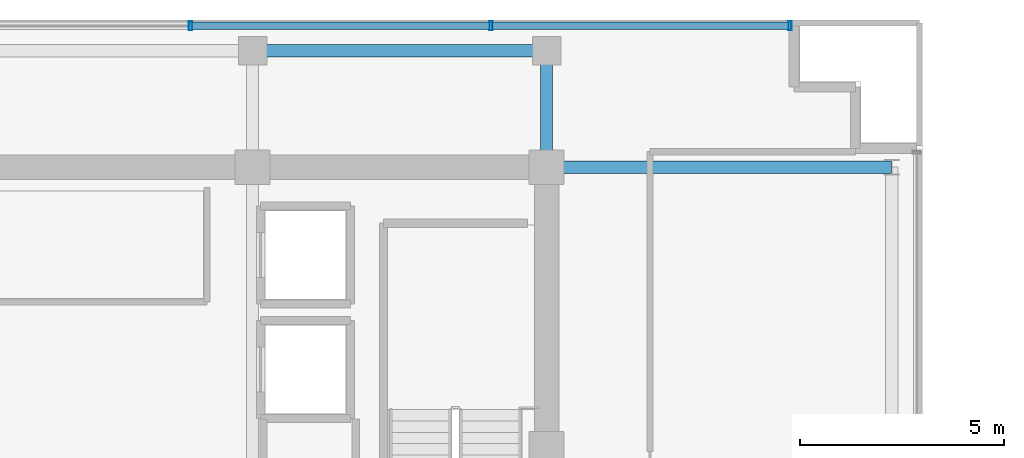
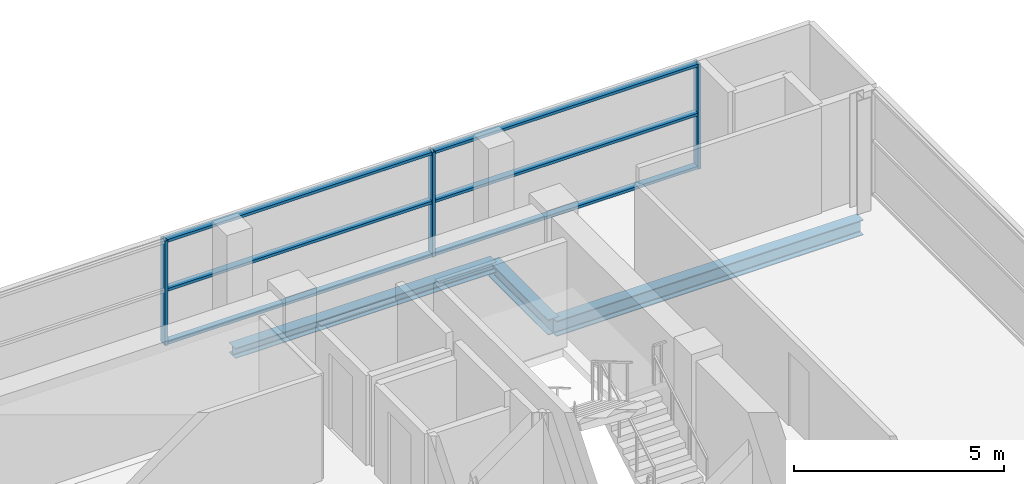
# One storey, part 12 of 22: 9 members, 3 beams, 1 element without a shape of its own.
"""IFC4 building model written with IfcOpenShell, lengths in metres."""

from ifc_helpers import new_model, si_unit, direction, frame, origin, origin_2d, place, context, subcontext, project, spatial, hollow_rectangle, i_section, extrude, source, transform, mapped, material, layer, layer_set, material_profile, profile_set, type_object, element, aggregate, save


model = new_model("IFC4")

# Units and contexts
model_context = context("Model", 3, precision=1e-05, world=origin(), true_north=direction((0.0, 1.0)))
body_context = subcontext(model_context, "Body", "Model", "MODEL_VIEW")
ifc_project = project(units=[si_unit("LENGTHUNIT", "METRE"), si_unit("AREAUNIT", "SQUARE_METRE"), si_unit("VOLUMEUNIT", "CUBIC_METRE"), si_unit("PLANEANGLEUNIT", "RADIAN"), si_unit("MASSUNIT", "GRAM", prefix="KILO")], contexts=[model_context])

# Site, building, storey
site_placement = place(None, origin())
site = spatial("IfcSite", under=ifc_project, at=site_placement, CompositionType="ELEMENT")
building_placement = place(site_placement, origin())
building = spatial("IfcBuilding", under=site, at=building_placement, Name="Zarnakvel Exchange Tower", CompositionType="ELEMENT")
storey_placement = place(building_placement, frame((0.0, 0.0, 238.60009765625)))
storey = spatial("IfcBuildingStorey", under=building, at=storey_placement, Name="L67", CompositionType="ELEMENT", Elevation=238.60009765625)

# Beams
ifc_material_1 = material(Name="Steel S355", Category="steel")
ifc_material_profile_1 = material_profile(ifc_material_1, i_section(OverallWidth=0.300048828125, OverallDepth=0.449951171875, WebThickness=0.013916015625, FlangeThickness=0.02587890625, FilletRadius=0.027099609375, at=origin_2d()))
ifc_profile_set_1 = profile_set([ifc_material_profile_1], Name="Steel S355")
beam_type_1 = type_object("IfcBeamType", Name="G-07", PredefinedType="BEAM", material=ifc_profile_set_1)
beam_1_placement = place(storey_placement, frame((14.39990234375, 13.5, -0.4501953125), z_axis=(1.0, 0.0, 0.0), x_axis=(0.0, 1.0, 0.0)))
element("IfcBeam", 1, at=beam_1_placement, inside=storey, type_object=beam_type_1, Name="L67 Tower E-W Frame Beam", PredefinedType="BEAM", context=body_context, shape_type="SweptSolid", body=[
    extrude(i_section(OverallWidth=0.300048828125, OverallDepth=0.449951171875, WebThickness=0.013916015625, FlangeThickness=0.02587890625, FilletRadius=0.027099609375, at=origin_2d()), origin(), (0.0, 0.0, 1.0), 8.4501953125),
])
beam_2_placement = place(storey_placement, frame((14.39990234375, 13.5, -0.4501953125), z_axis=(0.0, 1.0, 0.0), x_axis=(-1.0, 0.0, 0.0)))
element("IfcBeam", 2, at=beam_2_placement, inside=storey, type_object=beam_type_1, Name="L67 Tower N-S Frame Beam", PredefinedType="BEAM", context=body_context, shape_type="SweptSolid", body=[
    extrude(i_section(OverallWidth=0.300048828125, OverallDepth=0.449951171875, WebThickness=0.013916015625, FlangeThickness=0.02587890625, FilletRadius=0.027099609375, at=origin_2d()), origin(), (0.0, 0.0, 1.0), 2.85009765625),
])
ifc_material_profile_2 = material_profile(ifc_material_1, i_section(OverallWidth=0.300048828125, OverallDepth=0.300048828125, WebThickness=0.010986328125, FlangeThickness=0.01904296875, FilletRadius=0.027099609375, at=origin_2d()))
ifc_profile_set_2 = profile_set([ifc_material_profile_2], Name="Steel S355")
beam_type_2 = type_object("IfcBeamType", Name="SP-03", PredefinedType="SPANDREL", material=ifc_profile_set_2)
beam_3_placement = place(storey_placement, frame((7.199951171875, 16.35009765625, -0.375), z_axis=(1.0, 0.0, 0.0), x_axis=(0.0, 1.0, 0.0)))
element("IfcBeam", 3, at=beam_3_placement, inside=storey, type_object=beam_type_2, Name="L67 Tower E-W Frame Beam", PredefinedType="SPANDREL", context=body_context, shape_type="SweptSolid", body=[
    extrude(i_section(OverallWidth=0.300048828125, OverallDepth=0.300048828125, WebThickness=0.010986328125, FlangeThickness=0.01904296875, FilletRadius=0.027099609375, at=origin_2d()), origin(), (0.0, 0.0, 1.0), 7.199951171875),
])

# Curtain wall, members
ifc_material_2 = material(Name="Architectural Bronze Anodised Aluminium", Category="aluminium")
ifc_layer = layer(ifc_material_2, 0.219970703125)
ifc_layer_set = layer_set([ifc_layer], Name="Architectural Bronze Anodised Aluminium")
curtain_wall_type = type_object("IfcCurtainWallType", Name="CW-03", PredefinedType="NOTDEFINED", material=ifc_layer_set)
curtain_wall_placement = place(storey_placement, origin())
curtain_wall = element("IfcCurtainWall", 4, at=curtain_wall_placement, inside=storey, type_object=curtain_wall_type, Name="L67 Curtain Wall CW-L67-N1 (CW-03)", PredefinedType="NOTDEFINED")
ifc_material_profile_3 = material_profile(ifc_material_2, hollow_rectangle(XDim=0.219970703125, YDim=0.080078125, WallThickness=0.0048828125, at=origin_2d()))
ifc_profile_set_3 = profile_set([ifc_material_profile_3], Name="Architectural Bronze Anodised Aluminium")
member_type_1 = type_object("IfcMemberType", Name="CWM-03", PredefinedType="MULLION", material=ifc_profile_set_3)
shared_shape_1 = source(origin(), body_context, "Body", "SweptSolid", [
    extrude(hollow_rectangle(XDim=0.219970703125, YDim=0.080078125, WallThickness=0.0048828125, at=origin_2d()), origin(), (0.0, 0.0, 1.0), 3.054931640625),
])
member_1_placement = place(storey_placement, frame((5.679931640625, 16.9599609375, 0.0), z_axis=(0.0, 0.0, 1.0), x_axis=(0.0, 1.0, 0.0)))
member_1 = element("IfcMember", 5, at=member_1_placement, type_object=member_type_1, Name="CW-03 mullion 4", PredefinedType="MULLION", context=body_context, shape_type="MappedRepresentation", body=[
    mapped(shared_shape_1, transform((0.0, 0.0, 0.0), x_axis=(1.0, 0.0, 0.0), y_axis=(0.0, 1.0, 0.0), z_axis=(0.0, 0.0, 1.0), scale=1.0)),
])
member_2_placement = place(storey_placement, frame((13.0400390625, 16.9599609375, 0.0), z_axis=(0.0, 0.0, 1.0), x_axis=(0.0, 1.0, 0.0)))
member_2 = element("IfcMember", 6, at=member_2_placement, type_object=member_type_1, Name="CW-03 mullion 5", PredefinedType="MULLION", context=body_context, shape_type="MappedRepresentation", body=[
    mapped(shared_shape_1, transform((0.0, 0.0, 0.0), x_axis=(1.0, 0.0, 0.0), y_axis=(0.0, 1.0, 0.0), z_axis=(0.0, 0.0, 1.0), scale=1.0)),
])
member_3_placement = place(storey_placement, frame((20.360107421875, 16.9599609375, 0.0), z_axis=(0.0, 0.0, 1.0), x_axis=(0.0, 1.0, 0.0)))
member_3 = element("IfcMember", 7, at=member_3_placement, type_object=member_type_1, Name="CW-03 mullion 6", PredefinedType="MULLION", context=body_context, shape_type="MappedRepresentation", body=[
    mapped(shared_shape_1, transform((0.0, 0.0, 0.0), x_axis=(1.0, 0.0, 0.0), y_axis=(0.0, 1.0, 0.0), z_axis=(0.0, 0.0, 1.0), scale=1.0)),
])
ifc_material_profile_4 = material_profile(ifc_material_2, hollow_rectangle(XDim=0.179931640625, YDim=0.080078125, WallThickness=0.00390625, at=origin_2d()))
ifc_profile_set_4 = profile_set([ifc_material_profile_4], Name="Architectural Bronze Anodised Aluminium")
member_type_2 = type_object("IfcMemberType", Name="CWT-03", PredefinedType="USERDEFINED", material=ifc_profile_set_4)
shared_shape_2 = source(origin(), body_context, "Body", "SweptSolid", [
    extrude(hollow_rectangle(XDim=0.179931640625, YDim=0.080078125, WallThickness=0.00390625, at=origin_2d()), origin(), (0.0, 0.0, 1.0), 7.239990234375),
])
member_4_placement = place(storey_placement, frame((13.080078125, 16.9599609375, 0.039794921875), z_axis=(1.0, 0.0, 0.0), x_axis=(0.0, 1.0, 0.0)))
member_4 = element("IfcMember", 8, at=member_4_placement, type_object=member_type_2, Name="CW-03 transom 5.1", ObjectType="TRANSOM", PredefinedType="USERDEFINED", context=body_context, shape_type="MappedRepresentation", body=[
    mapped(shared_shape_2, transform((0.0, 0.0, 0.0), x_axis=(1.0, 0.0, 0.0), y_axis=(0.0, 1.0, 0.0), z_axis=(0.0, 0.0, 1.0), scale=1.0)),
])
member_5_placement = place(storey_placement, frame((13.080078125, 16.9599609375, 1.588623046875), z_axis=(1.0, 0.0, 0.0), x_axis=(0.0, 1.0, 0.0)))
member_5 = element("IfcMember", 9, at=member_5_placement, type_object=member_type_2, Name="CW-03 transom 5.2", ObjectType="TRANSOM", PredefinedType="USERDEFINED", context=body_context, shape_type="MappedRepresentation", body=[
    mapped(shared_shape_2, transform((0.0, 0.0, 0.0), x_axis=(1.0, 0.0, 0.0), y_axis=(0.0, 1.0, 0.0), z_axis=(0.0, 0.0, 1.0), scale=1.0)),
])
member_6_placement = place(storey_placement, frame((13.080078125, 16.9599609375, 3.014892578125), z_axis=(1.0, 0.0, 0.0), x_axis=(0.0, 1.0, 0.0)))
member_6 = element("IfcMember", 10, at=member_6_placement, type_object=member_type_2, Name="CW-03 transom 5.3", ObjectType="TRANSOM", PredefinedType="USERDEFINED", context=body_context, shape_type="MappedRepresentation", body=[
    mapped(shared_shape_2, transform((0.0, 0.0, 0.0), x_axis=(1.0, 0.0, 0.0), y_axis=(0.0, 1.0, 0.0), z_axis=(0.0, 0.0, 1.0), scale=1.0)),
])
shared_shape_3 = source(origin(), body_context, "Body", "SweptSolid", [
    extrude(hollow_rectangle(XDim=0.179931640625, YDim=0.080078125, WallThickness=0.00390625, at=origin_2d()), origin(), (0.0, 0.0, 1.0), 7.280029296875),
])
member_7_placement = place(storey_placement, frame((5.719970703125, 16.9599609375, 0.039794921875), z_axis=(1.0, 0.0, 0.0), x_axis=(0.0, 1.0, 0.0)))
member_7 = element("IfcMember", 11, at=member_7_placement, type_object=member_type_2, Name="CW-03 transom 4.1", ObjectType="TRANSOM", PredefinedType="USERDEFINED", context=body_context, shape_type="MappedRepresentation", body=[
    mapped(shared_shape_3, transform((0.0, 0.0, 0.0), x_axis=(1.0, 0.0, 0.0), y_axis=(0.0, 1.0, 0.0), z_axis=(0.0, 0.0, 1.0), scale=1.0)),
])
member_8_placement = place(storey_placement, frame((5.719970703125, 16.9599609375, 1.588623046875), z_axis=(1.0, 0.0, 0.0), x_axis=(0.0, 1.0, 0.0)))
member_8 = element("IfcMember", 12, at=member_8_placement, type_object=member_type_2, Name="CW-03 transom 4.2", ObjectType="TRANSOM", PredefinedType="USERDEFINED", context=body_context, shape_type="MappedRepresentation", body=[
    mapped(shared_shape_3, transform((0.0, 0.0, 0.0), x_axis=(1.0, 0.0, 0.0), y_axis=(0.0, 1.0, 0.0), z_axis=(0.0, 0.0, 1.0), scale=1.0)),
])
member_9_placement = place(storey_placement, frame((5.719970703125, 16.9599609375, 3.014892578125), z_axis=(1.0, 0.0, 0.0), x_axis=(0.0, 1.0, 0.0)))
member_9 = element("IfcMember", 13, at=member_9_placement, type_object=member_type_2, Name="CW-03 transom 4.3", ObjectType="TRANSOM", PredefinedType="USERDEFINED", context=body_context, shape_type="MappedRepresentation", body=[
    mapped(shared_shape_3, transform((0.0, 0.0, 0.0), x_axis=(1.0, 0.0, 0.0), y_axis=(0.0, 1.0, 0.0), z_axis=(0.0, 0.0, 1.0), scale=1.0)),
])
aggregate(curtain_wall, [member_1, member_2, member_3, member_7, member_8, member_9, member_4, member_5, member_6])

save(model, "model.ifc")
